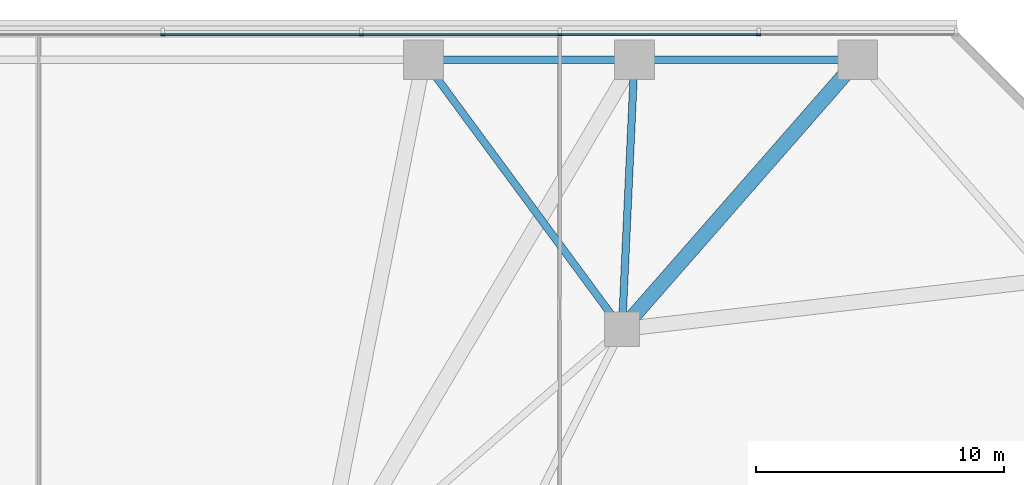
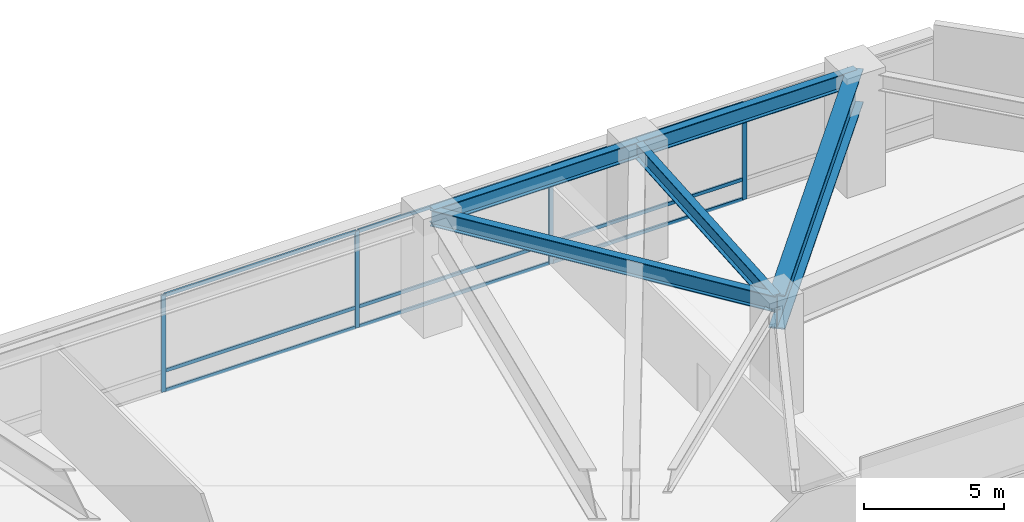
# One storey, part 11 of 27: 13 members, 5 beams, 1 element without a shape of its own.
"""IFC4 building model written with IfcOpenShell, lengths in metres."""

from ifc_helpers import new_model, si_unit, direction, frame, origin, origin_2d, place, context, subcontext, project, spatial, rectangle, i_section, extrude, material, layer, layer_set, material_profile, profile_set, type_object, element, aggregate, save


model = new_model("IFC4")

# Units and contexts
model_context = context("Model", 3, precision=1e-05, world=origin(), true_north=direction((0.0, 1.0)))
body_context = subcontext(model_context, "Body", "Model", "MODEL_VIEW")
ifc_project = project(units=[si_unit("LENGTHUNIT", "METRE"), si_unit("AREAUNIT", "SQUARE_METRE"), si_unit("VOLUMEUNIT", "CUBIC_METRE"), si_unit("PLANEANGLEUNIT", "RADIAN"), si_unit("MASSUNIT", "GRAM", prefix="KILO")], contexts=[model_context])

# Site, building, storey
site_placement = place(None, origin())
site = spatial("IfcSite", under=ifc_project, at=site_placement, CompositionType="ELEMENT")
building_placement = place(site_placement, origin())
building = spatial("IfcBuilding", under=site, at=building_placement, Name="Terralouvre Media Tower", CompositionType="ELEMENT")
storey_placement = place(building_placement, frame((0.0, 0.0, 5.199951171875)))
storey = spatial("IfcBuildingStorey", under=building, at=storey_placement, Name="L01", CompositionType="ELEMENT", Elevation=5.199951171875)

# Curtain wall, members
ifc_material_1 = material(Name="Low-iron laminated double glazing with solar-control coating", Category="glass")
ifc_layer = layer(ifc_material_1, 0.1650390625, Name="Podium Broadcast Gallery Glazing CW-01")
ifc_layer_set = layer_set([ifc_layer], Name="Low-iron laminated double glazing with solar-control coating")
curtain_wall_type = type_object("IfcCurtainWallType", Name="Podium Broadcast Gallery Glazing CW-01", PredefinedType="NOTDEFINED", material=ifc_layer_set)
curtain_wall_placement = place(storey_placement, origin())
curtain_wall = element("IfcCurtainWall", 1, at=curtain_wall_placement, inside=storey, type_object=curtain_wall_type, Name="L01 Podium Curtain Wall F4", PredefinedType="NOTDEFINED")
ifc_material_2 = material(Name="Anodised extruded aluminium 6063-T6", Category="aluminium")
ifc_material_profile_1 = material_profile(ifc_material_2, rectangle(XDim=0.074951171875, YDim=0.14990234375, at=origin_2d()), Name="ALU 75x150")
ifc_profile_set_1 = profile_set([ifc_material_profile_1], Name="Anodised extruded aluminium 6063-T6")
member_type_1 = type_object("IfcMemberType", Name="Curtain-Wall Horizontal Transom TR-150", PredefinedType="USERDEFINED", material=ifc_profile_set_1)
member_1_placement = place(storey_placement, frame((23.96240234375, 33.360107421875, 0.03759765625), z_axis=(-1.0, 0.0, 0.0), x_axis=(0.0, -1.0, 0.0)))
member_1 = element("IfcMember", 2, at=member_1_placement, type_object=member_type_1, Name="CW-01 transom 2.1", ObjectType="TRANSOM", PredefinedType="USERDEFINED", context=body_context, shape_type="SweptSolid", body=[
    extrude(rectangle(XDim=0.074951171875, YDim=0.14990234375, at=origin_2d()), origin(), (0.0, 0.0, 1.0), 7.9248046875),
])
member_2_placement = place(storey_placement, frame((23.96240234375, 33.360107421875, 0.900146484375), z_axis=(-1.0, 0.0, 0.0), x_axis=(0.0, -1.0, 0.0)))
member_2 = element("IfcMember", 3, at=member_2_placement, type_object=member_type_1, Name="CW-01 transom 2.2", ObjectType="TRANSOM", PredefinedType="USERDEFINED", context=body_context, shape_type="SweptSolid", body=[
    extrude(rectangle(XDim=0.074951171875, YDim=0.14990234375, at=origin_2d()), origin(), (0.0, 0.0, 1.0), 7.9248046875),
])
member_3_placement = place(storey_placement, frame((23.96240234375, 33.360107421875, 4.192626953125), z_axis=(-1.0, 0.0, 0.0), x_axis=(0.0, -1.0, 0.0)))
member_3 = element("IfcMember", 4, at=member_3_placement, type_object=member_type_1, Name="CW-01 transom 2.3", ObjectType="TRANSOM", PredefinedType="USERDEFINED", context=body_context, shape_type="SweptSolid", body=[
    extrude(rectangle(XDim=0.074951171875, YDim=0.14990234375, at=origin_2d()), origin(), (0.0, 0.0, 1.0), 7.9248046875),
])
member_4_placement = place(storey_placement, frame((15.96240234375, 33.360107421875, 0.03759765625), z_axis=(-1.0, 0.0, 0.0), x_axis=(0.0, -1.0, 0.0)))
member_4 = element("IfcMember", 5, at=member_4_placement, type_object=member_type_1, Name="CW-01 transom 3.1", ObjectType="TRANSOM", PredefinedType="USERDEFINED", context=body_context, shape_type="SweptSolid", body=[
    extrude(rectangle(XDim=0.074951171875, YDim=0.14990234375, at=origin_2d()), origin(), (0.0, 0.0, 1.0), 7.9248046875),
])
member_5_placement = place(storey_placement, frame((15.96240234375, 33.360107421875, 0.900146484375), z_axis=(-1.0, 0.0, 0.0), x_axis=(0.0, -1.0, 0.0)))
member_5 = element("IfcMember", 6, at=member_5_placement, type_object=member_type_1, Name="CW-01 transom 3.2", ObjectType="TRANSOM", PredefinedType="USERDEFINED", context=body_context, shape_type="SweptSolid", body=[
    extrude(rectangle(XDim=0.074951171875, YDim=0.14990234375, at=origin_2d()), origin(), (0.0, 0.0, 1.0), 7.9248046875),
])
member_6_placement = place(storey_placement, frame((15.96240234375, 33.360107421875, 4.192626953125), z_axis=(-1.0, 0.0, 0.0), x_axis=(0.0, -1.0, 0.0)))
member_6 = element("IfcMember", 7, at=member_6_placement, type_object=member_type_1, Name="CW-01 transom 3.3", ObjectType="TRANSOM", PredefinedType="USERDEFINED", context=body_context, shape_type="SweptSolid", body=[
    extrude(rectangle(XDim=0.074951171875, YDim=0.14990234375, at=origin_2d()), origin(), (0.0, 0.0, 1.0), 7.9248046875),
])
member_7_placement = place(storey_placement, frame((7.96240234375, 33.360107421875, 0.03759765625), z_axis=(-1.0, 0.0, 0.0), x_axis=(0.0, -1.0, 0.0)))
member_7 = element("IfcMember", 8, at=member_7_placement, type_object=member_type_1, Name="CW-01 transom 4.1", ObjectType="TRANSOM", PredefinedType="USERDEFINED", context=body_context, shape_type="SweptSolid", body=[
    extrude(rectangle(XDim=0.074951171875, YDim=0.14990234375, at=origin_2d()), origin(), (0.0, 0.0, 1.0), 7.9248046875),
])
member_8_placement = place(storey_placement, frame((7.96240234375, 33.360107421875, 0.900146484375), z_axis=(-1.0, 0.0, 0.0), x_axis=(0.0, -1.0, 0.0)))
member_8 = element("IfcMember", 9, at=member_8_placement, type_object=member_type_1, Name="CW-01 transom 4.2", ObjectType="TRANSOM", PredefinedType="USERDEFINED", context=body_context, shape_type="SweptSolid", body=[
    extrude(rectangle(XDim=0.074951171875, YDim=0.14990234375, at=origin_2d()), origin(), (0.0, 0.0, 1.0), 7.9248046875),
])
member_9_placement = place(storey_placement, frame((7.96240234375, 33.360107421875, 4.192626953125), z_axis=(-1.0, 0.0, 0.0), x_axis=(0.0, -1.0, 0.0)))
member_9 = element("IfcMember", 10, at=member_9_placement, type_object=member_type_1, Name="CW-01 transom 4.3", ObjectType="TRANSOM", PredefinedType="USERDEFINED", context=body_context, shape_type="SweptSolid", body=[
    extrude(rectangle(XDim=0.074951171875, YDim=0.14990234375, at=origin_2d()), origin(), (0.0, 0.0, 1.0), 7.9248046875),
])
ifc_material_3 = material(Name="Anodised extruded aluminium 6063-T6", Category="aluminium")
ifc_material_profile_2 = material_profile(ifc_material_3, rectangle(XDim=0.074951171875, YDim=0.179931640625, at=origin_2d()), Name="ALU 75x180")
ifc_profile_set_2 = profile_set([ifc_material_profile_2], Name="Anodised extruded aluminium 6063-T6")
member_type_2 = type_object("IfcMemberType", Name="Curtain-Wall Vertical Mullion ML-180", PredefinedType="MULLION", material=ifc_profile_set_2)
member_10_placement = place(storey_placement, frame((24.0, 33.360107421875, 0.0), z_axis=(0.0, 0.0, 1.0), x_axis=(0.0, -1.0, 0.0)))
member_10 = element("IfcMember", 11, at=member_10_placement, type_object=member_type_2, Name="CW-01 mullion 2", PredefinedType="MULLION", context=body_context, shape_type="SweptSolid", body=[
    extrude(rectangle(XDim=0.074951171875, YDim=0.179931640625, at=origin_2d()), origin(), (0.0, 0.0, 1.0), 4.22998046875),
])
member_11_placement = place(storey_placement, frame((16.0, 33.360107421875, 0.0), z_axis=(0.0, 0.0, 1.0), x_axis=(0.0, -1.0, 0.0)))
member_11 = element("IfcMember", 12, at=member_11_placement, type_object=member_type_2, Name="CW-01 mullion 3", PredefinedType="MULLION", context=body_context, shape_type="SweptSolid", body=[
    extrude(rectangle(XDim=0.074951171875, YDim=0.179931640625, at=origin_2d()), origin(), (0.0, 0.0, 1.0), 4.22998046875),
])
member_12_placement = place(storey_placement, frame((8.0, 33.360107421875, 0.0), z_axis=(0.0, 0.0, 1.0), x_axis=(0.0, -1.0, 0.0)))
member_12 = element("IfcMember", 13, at=member_12_placement, type_object=member_type_2, Name="CW-01 mullion 4", PredefinedType="MULLION", context=body_context, shape_type="SweptSolid", body=[
    extrude(rectangle(XDim=0.074951171875, YDim=0.179931640625, at=origin_2d()), origin(), (0.0, 0.0, 1.0), 4.22998046875),
])
member_13_placement = place(storey_placement, frame((0.0, 33.360107421875, 0.0), z_axis=(0.0, 0.0, 1.0), x_axis=(0.0, -1.0, 0.0)))
member_13 = element("IfcMember", 14, at=member_13_placement, type_object=member_type_2, Name="CW-01 mullion 5", PredefinedType="MULLION", context=body_context, shape_type="SweptSolid", body=[
    extrude(rectangle(XDim=0.074951171875, YDim=0.179931640625, at=origin_2d()), origin(), (0.0, 0.0, 1.0), 4.22998046875),
])
aggregate(curtain_wall, [member_10, member_11, member_12, member_13, member_1, member_2, member_3, member_4, member_5, member_6, member_7, member_8, member_9])

# Beams
ifc_material_4 = material(Name="Structural steel S460M", Category="steel")
ifc_material_profile_3 = material_profile(ifc_material_4, i_section(OverallWidth=0.300048828125, OverallDepth=0.699951171875, WebThickness=0.01708984375, FlangeThickness=0.031982421875, at=origin_2d()), Name="HEB 700")
ifc_profile_set_3 = profile_set([ifc_material_profile_3], Name="Structural steel S460M")
beam_type_1 = type_object("IfcBeamType", Name="Primary Floor Girder B-HEB700 (HEB 700)", PredefinedType="BEAM", material=ifc_profile_set_3)
beam_1_placement = place(storey_placement, frame((18.5, 21.5, 4.60009765625), z_axis=(0.046033681898, 0.998939888147, 0.0), x_axis=(-0.998939888147, 0.046033681898, 0.0)))
element("IfcBeam", 15, at=beam_1_placement, inside=storey, type_object=beam_type_1, Name="L01 Framing Beam BM-L01-PM20P1", PredefinedType="BEAM", context=body_context, shape_type="SweptSolid", body=[
    extrude(i_section(OverallWidth=0.300048828125, OverallDepth=0.699951171875, WebThickness=0.01708984375, FlangeThickness=0.031982421875, at=origin_2d()), origin(), (0.0, 0.0, 1.0), 10.861572265625),
])
beam_2_placement = place(storey_placement, frame((18.5, 21.5, 4.60009765625), z_axis=(-0.593448591359, 0.804871896276, 0.0), x_axis=(-0.804871896276, -0.593448591359, 0.0)))
element("IfcBeam", 16, at=beam_2_placement, inside=storey, type_object=beam_type_1, Name="L01 Framing Beam BM-L01-PM20P2", PredefinedType="BEAM", context=body_context, shape_type="SweptSolid", body=[
    extrude(i_section(OverallWidth=0.300048828125, OverallDepth=0.699951171875, WebThickness=0.01708984375, FlangeThickness=0.031982421875, at=origin_2d()), origin(), (0.0, 0.0, 1.0), 13.48046875),
])
beam_3_placement = place(storey_placement, frame((28.0, 32.35009765625, 4.60009765625), z_axis=(-1.0, 0.0, 0.0), x_axis=(0.0, -1.0, 0.0)))
element("IfcBeam", 17, at=beam_3_placement, inside=storey, type_object=beam_type_1, Name="L01 Framing Beam BM-L01-PR11", PredefinedType="BEAM", context=body_context, shape_type="SweptSolid", body=[
    extrude(i_section(OverallWidth=0.300048828125, OverallDepth=0.699951171875, WebThickness=0.01708984375, FlangeThickness=0.031982421875, at=origin_2d()), origin(), (0.0, 0.0, 1.0), 9.0),
])
beam_4_placement = place(storey_placement, frame((19.0, 32.35009765625, 4.60009765625), z_axis=(-1.0, 0.0, 0.0), x_axis=(0.0, -1.0, 0.0)))
element("IfcBeam", 18, at=beam_4_placement, inside=storey, type_object=beam_type_1, Name="L01 Framing Beam BM-L01-PR12", PredefinedType="BEAM", context=body_context, shape_type="SweptSolid", body=[
    extrude(i_section(OverallWidth=0.300048828125, OverallDepth=0.699951171875, WebThickness=0.01708984375, FlangeThickness=0.031982421875, at=origin_2d()), origin(), (0.0, 0.0, 1.0), 8.5),
])
ifc_material_5 = material(Name="Structural steel S460M", Category="steel")
ifc_material_profile_4 = material_profile(ifc_material_5, i_section(OverallWidth=0.60009765625, OverallDepth=1.5, WebThickness=0.033935546875, FlangeThickness=0.054931640625, at=origin_2d()), Name="PG 1500x600")
ifc_profile_set_4 = profile_set([ifc_material_profile_4], Name="Structural steel S460M")
beam_type_2 = type_object("IfcBeamType", Name="Primary Floor Girder B-PG1500 (PG 1500x600)", PredefinedType="BEAM", material=ifc_profile_set_4)
beam_5_placement = place(storey_placement, frame((18.5, 21.5, 4.199951171875), z_axis=(0.658746675471, 0.752364816799, 0.0), x_axis=(-0.752364816799, 0.658746675471, 0.0)))
element("IfcBeam", 19, at=beam_5_placement, inside=storey, type_object=beam_type_2, Name="L01 Framing Beam BM-L01-RD11", PredefinedType="BEAM", context=body_context, shape_type="SweptSolid", body=[
    extrude(i_section(OverallWidth=0.60009765625, OverallDepth=1.5, WebThickness=0.033935546875, FlangeThickness=0.054931640625, at=origin_2d()), origin(), (0.0, 0.0, 1.0), 14.42138671875),
])

save(model, "model.ifc")
